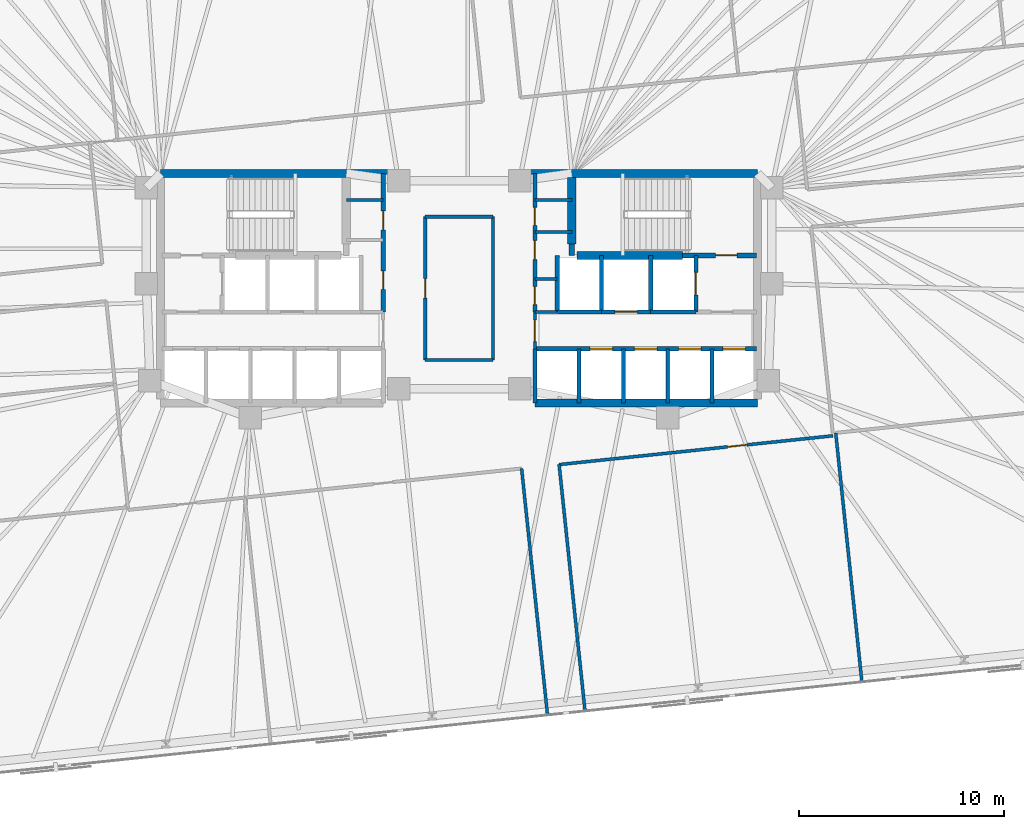
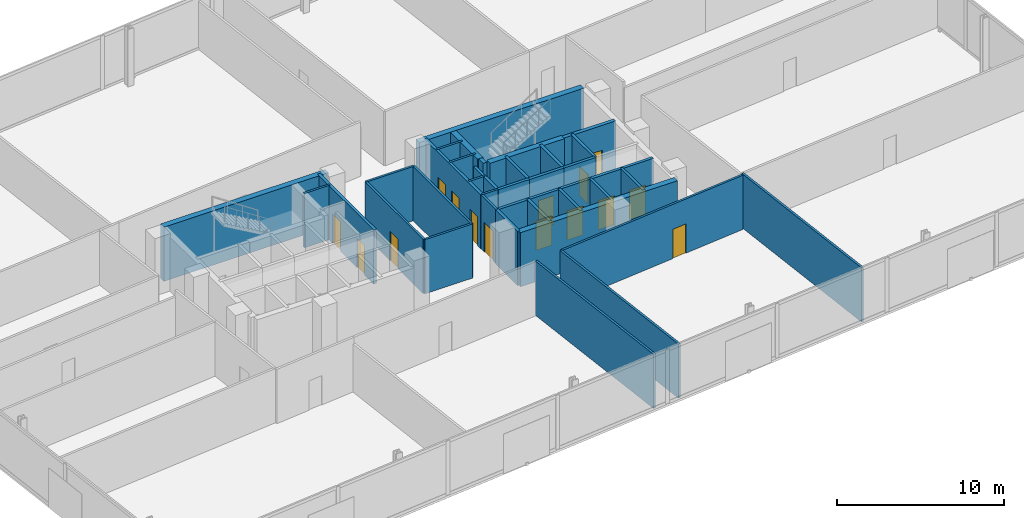
# One storey, part 13 of 16: 36 walls, 15 doors, 15 openings.
"""IFC4 building model written with IfcOpenShell, lengths in metres."""

from ifc_helpers import new_model, si_unit, direction, frame, frame_2d, origin, place, context, subcontext, project, spatial, rectangle, extrude, material, layer, layer_set, type_object, element, fill, save


model = new_model("IFC4")

# Units and contexts
model_context = context("Model", 3, precision=1e-05, world=origin(), true_north=direction((0.0, 1.0)))
body_context = subcontext(model_context, "Body", "Model", "MODEL_VIEW")
ifc_project = project(units=[si_unit("LENGTHUNIT", "METRE"), si_unit("AREAUNIT", "SQUARE_METRE"), si_unit("VOLUMEUNIT", "CUBIC_METRE"), si_unit("PLANEANGLEUNIT", "RADIAN"), si_unit("MASSUNIT", "GRAM", prefix="KILO")], contexts=[model_context])

# Site, building, storey
site_placement = place(None, origin())
site = spatial("IfcSite", under=ifc_project, at=site_placement, CompositionType="ELEMENT")
building_placement = place(site_placement, origin())
building = spatial("IfcBuilding", under=site, at=building_placement, Name="Menara Jurai Vektor", CompositionType="ELEMENT")
storey_placement = place(building_placement, frame((0.0, 0.0, 83.199951171875)))
storey = spatial("IfcBuildingStorey", under=building, at=storey_placement, Name="L20", CompositionType="ELEMENT", Elevation=83.199951171875)

# Wall, opening, door
ifc_material_1 = material(Name="Concrete C40/50", Category="concrete")
ifc_layer_1 = layer(ifc_material_1, 0.25)
ifc_layer_set_1 = layer_set([ifc_layer_1], Name="Concrete C40/50")
wall_type_1 = type_object("IfcWallType", Name="INT-WALL-CORE-250", PredefinedType="STANDARD", material=ifc_layer_set_1)
wall_1_placement = place(storey_placement, frame((10.89990234375, 1.60009765625, 0.0), z_axis=(0.0, 0.0, 1.0), x_axis=(1.0, 0.0, 0.0)))
wall_1 = element("IfcWall", 1, at=wall_1_placement, inside=storey, type_object=wall_type_1, Name="Interior Wall IW-250 L20", PredefinedType="STANDARD", context=body_context, shape_type="SweptSolid", body=[
    extrude(rectangle(XDim=3.60009765625, YDim=0.25, at=frame_2d((1.800048828125, 0.0))), origin(), (0.0, 0.0, 1.0), 3.97509765625),
])
opening_1_placement = place(wall_1_placement, frame((1.6201171875, 0.0, 0.0)))
opening_1 = element("IfcOpeningElement", 2, at=opening_1_placement, cuts=wall_1, Name="Opening D-L20-ST2", PredefinedType="OPENING", context=body_context, shape_type="SweptSolid", body=[
    extrude(rectangle(XDim=1.050048828125, YDim=2.14990234375, at=frame_2d((0.52490234375, 1.074951171875))), frame((0.0, 0.135009765625, 0.0), z_axis=(0.0, -1.0, 0.0), x_axis=(1.0, 0.0, 0.0)), (0.0, 0.0, 1.0), 0.27001953125),
])
ifc_material_2 = material(Name="Fire-Rated Steel Door", Category="steel")
door_type_1 = type_object("IfcDoorType", Name="DR-STAIR-1050", OperationType="NOTDEFINED", PredefinedType="DOOR", material=ifc_material_2)
door_1_placement = place(opening_1_placement, origin())
door_1 = element("IfcDoor", 3, at=door_1_placement, inside=storey, type_object=door_type_1, Name="Exit Stair ST2 Door L20", OperationType="SINGLE_SWING_LEFT", OverallHeight=2.14990234375, OverallWidth=1.050048828125, PredefinedType="DOOR", context=body_context, shape_type="SweptSolid", body=[
    extrude(rectangle(XDim=1.050048828125, YDim=2.14990234375, at=frame_2d((0.52490234375, 1.074951171875))), frame((0.0, 0.02490234375, 0.0), z_axis=(0.0, -1.0, 0.0), x_axis=(1.0, 0.0, 0.0)), (0.0, 0.0, 1.0), 0.050048828125),
])
fill(opening_1, door_1)

# Wall
wall_2_placement = place(storey_placement, frame((5.5, 1.60009765625, 0.0), z_axis=(0.0, 0.0, 1.0), x_axis=(0.0, 1.0, 0.0)))
element("IfcWall", 4, at=wall_2_placement, inside=storey, type_object=wall_type_1, Name="Interior Wall IW-250 L20", PredefinedType="STANDARD", context=body_context, shape_type="SweptSolid", body=[
    extrude(rectangle(XDim=0.5498046875, YDim=0.25, at=frame_2d((0.27490234375, 0.0))), origin(), (0.0, 0.0, 1.0), 3.97509765625),
])

# Wall, opening, door
wall_3_placement = place(storey_placement, frame((11.550048828125, -1.14990234375, 0.0), z_axis=(0.0, 0.0, 1.0), x_axis=(0.0, 1.0, 0.0)))
wall_3 = element("IfcWall", 5, at=wall_3_placement, inside=storey, type_object=wall_type_1, Name="Interior Wall IW-250 L20", PredefinedType="STANDARD", context=body_context, shape_type="SweptSolid", body=[
    extrude(rectangle(XDim=2.75, YDim=0.199951171875, at=frame_2d((1.375, 0.0))), origin(), (0.0, 0.0, 1.0), 3.97509765625),
])
opening_2_placement = place(wall_3_placement, frame((0.824951171875, 0.0, 0.0)))
opening_2 = element("IfcOpeningElement", 6, at=opening_2_placement, cuts=wall_3, Name="Opening LD-L20-FL2", PredefinedType="OPENING", context=body_context, shape_type="SweptSolid", body=[
    extrude(rectangle(XDim=1.10009765625, YDim=2.14990234375, at=frame_2d((0.550048828125, 1.074951171875))), frame((0.0, 0.10986328125, 0.0), z_axis=(0.0, -1.0, 0.0), x_axis=(1.0, 0.0, 0.0)), (0.0, 0.0, 1.0), 0.219970703125),
])
ifc_material_3 = material(Name="Stainless Steel Sliding Lift Landing Door", Category="steel")
door_type_2 = type_object("IfcDoorType", Name="DR-LIFT-FIRE-1100", OperationType="NOTDEFINED", PredefinedType="DOOR", material=ifc_material_3)
door_2_placement = place(opening_2_placement, origin())
door_2 = element("IfcDoor", 7, at=door_2_placement, inside=storey, type_object=door_type_2, Name="Lift Landing Door FL2 L20", OperationType="SLIDING_TO_RIGHT", OverallHeight=2.14990234375, OverallWidth=1.10009765625, PredefinedType="DOOR", context=body_context, shape_type="SweptSolid", body=[
    extrude(rectangle(XDim=1.10009765625, YDim=2.14990234375, at=frame_2d((0.550048828125, 1.074951171875))), frame((0.0, 0.02490234375, 0.0), z_axis=(0.0, -1.0, 0.0), x_axis=(1.0, 0.0, 0.0)), (0.0, 0.0, 1.0), 0.050048828125),
])
fill(opening_2, door_2)

# Walls
wall_4_placement = place(storey_placement, frame((9.35009765625, -1.14990234375, 0.0), z_axis=(0.0, 0.0, 1.0), x_axis=(0.0, 1.0, 0.0)))
element("IfcWall", 8, at=wall_4_placement, inside=storey, type_object=wall_type_1, Name="Interior Wall IW-250 L20", PredefinedType="STANDARD", context=body_context, shape_type="SweptSolid", body=[
    extrude(rectangle(XDim=2.75, YDim=0.199951171875, at=frame_2d((1.375, 0.0))), origin(), (0.0, 0.0, 1.0), 3.97509765625),
])
wall_5_placement = place(storey_placement, frame((9.35009765625, -1.14990234375, 0.0), z_axis=(0.0, 0.0, 1.0), x_axis=(1.0, 0.0, 0.0)))
element("IfcWall", 9, at=wall_5_placement, inside=storey, type_object=wall_type_1, Name="Interior Wall IW-250 L20", PredefinedType="STANDARD", context=body_context, shape_type="SweptSolid", body=[
    extrude(rectangle(XDim=2.199951171875, YDim=0.199951171875, at=frame_2d((1.10009765625, 0.0))), origin(), (0.0, 0.0, 1.0), 3.97509765625),
])

# Wall, opening, door
ifc_material_4 = material(Name="Gypsum Fireboard Partition", Category="gypsum")
ifc_layer_2 = layer(ifc_material_4, 0.14990234375)
ifc_layer_set_2 = layer_set([ifc_layer_2], Name="Gypsum Fireboard Partition")
wall_type_2 = type_object("IfcWallType", Name="INT-WALL-CORR-150", PredefinedType="PARTITIONING", material=ifc_layer_set_2)
wall_6_placement = place(storey_placement, frame((3.699951171875, -2.949951171875, 0.0), z_axis=(0.0, 0.0, 1.0), x_axis=(0.0, 1.0, 0.0)))
wall_6 = element("IfcWall", 10, at=wall_6_placement, inside=storey, type_object=wall_type_2, Name="Interior Wall IW-150 L20", PredefinedType="PARTITIONING", context=body_context, shape_type="SweptSolid", body=[
    extrude(rectangle(XDim=1.800048828125, YDim=0.14990234375, at=frame_2d((0.89990234375, 0.0))), origin(), (0.0, 0.0, 1.0), 3.97509765625),
])
opening_3_placement = place(wall_6_placement, frame((0.35009765625, 0.0, 0.0)))
opening_3 = element("IfcOpeningElement", 11, at=opening_3_placement, cuts=wall_6, Name="Opening D-L20-LLE", PredefinedType="OPENING", context=body_context, shape_type="SweptSolid", body=[
    extrude(rectangle(XDim=1.050048828125, YDim=2.179931640625, at=frame_2d((0.52490234375, 1.08984375))), frame((0.0, 0.0849609375, 0.0), z_axis=(0.0, -1.0, 0.0), x_axis=(1.0, 0.0, 0.0)), (0.0, 0.0, 1.0), 0.169921875),
])
ifc_material_5 = material(Name="Fire-Rated Timber Door", Category="wood")
door_type_3 = type_object("IfcDoorType", Name="DR-LOBBY-1050", OperationType="NOTDEFINED", PredefinedType="DOOR", material=ifc_material_5)
door_3_placement = place(opening_3_placement, frame((1.050048828125, 0.0, 0.0), z_axis=(0.0, 0.0, 1.0), x_axis=(-1.0, 0.0, 0.0)))
door_3 = element("IfcDoor", 12, at=door_3_placement, inside=storey, type_object=door_type_3, Name="Lift Lobby Corridor Door E L20", OperationType="SINGLE_SWING_RIGHT", OverallHeight=2.179931640625, OverallWidth=1.050048828125, PredefinedType="DOOR", context=body_context, shape_type="SweptSolid", body=[
    extrude(rectangle(XDim=1.050048828125, YDim=2.179931640625, at=frame_2d((0.52490234375, 1.08984375))), frame((0.0, 0.02490234375, 0.0), z_axis=(0.0, -1.0, 0.0), x_axis=(1.0, 0.0, 0.0)), (0.0, 0.0, 1.0), 0.050048828125),
])
fill(opening_3, door_3)

# Walls
wall_7_placement = place(storey_placement, frame((3.699951171875, -1.14990234375, 0.0), z_axis=(0.0, 0.0, 1.0), x_axis=(1.0, 0.0, 0.0)))
element("IfcWall", 13, at=wall_7_placement, inside=storey, type_object=wall_type_2, Name="Interior Wall IW-150 L20", PredefinedType="PARTITIONING", context=body_context, shape_type="SweptSolid", body=[
    extrude(rectangle(XDim=1.090087890625, YDim=0.14990234375, at=frame_2d((0.544921875, 0.0))), origin(), (0.0, 0.0, 1.0), 3.97509765625),
])
for number, where, z_axis, x_axis, name in (
    (14, (-5.5, 4.300048828125, 0.0), (0.0, 0.0, 1.0), (1.0, 0.0, 0.0), "Interior Wall IW-150 L20"),
    (15, (3.699951171875, 4.300048828125, 0.0), (0.0, 0.0, 1.0), (1.0, 0.0, 0.0), "Interior Wall IW-150 L20"),
):
    element("IfcWall", number, at=place(storey_placement, frame(where, z_axis=z_axis, x_axis=x_axis)), inside=storey, type_object=wall_type_2, Name=name, PredefinedType="PARTITIONING", context=body_context, shape_type="SweptSolid", body=[
        extrude(rectangle(XDim=1.800048828125, YDim=0.14990234375, at=frame_2d((0.89990234375, 0.0))), origin(), (0.0, 0.0, 1.0), 3.97509765625),
    ])
wall_8_placement = place(storey_placement, frame((3.699951171875, 0.449951171875, 0.0), z_axis=(0.0, 0.0, 1.0), x_axis=(1.0, 0.0, 0.0)))
element("IfcWall", 16, at=wall_8_placement, inside=storey, type_object=wall_type_2, Name="Interior Wall IW-150 L20", PredefinedType="PARTITIONING", context=body_context, shape_type="SweptSolid", body=[
    extrude(rectangle(XDim=1.090087890625, YDim=0.14990234375, at=frame_2d((0.544921875, 0.0))), origin(), (0.0, 0.0, 1.0), 3.97509765625),
])
wall_9_placement = place(storey_placement, frame((3.699951171875, 2.75, 0.0), z_axis=(0.0, 0.0, 1.0), x_axis=(1.0, 0.0, 0.0)))
element("IfcWall", 17, at=wall_9_placement, inside=storey, type_object=wall_type_2, Name="Interior Wall IW-150 L20", PredefinedType="PARTITIONING", context=body_context, shape_type="SweptSolid", body=[
    extrude(rectangle(XDim=1.800048828125, YDim=0.14990234375, at=frame_2d((0.89990234375, 0.0))), origin(), (0.0, 0.0, 1.0), 3.97509765625),
])

# Wall, opening, door
wall_10_placement = place(storey_placement, frame((-1.649658203125, -3.490478515625, 0.0), z_axis=(0.0, 0.0, 1.0), x_axis=(-0.000104928124, 0.999999994495, 0.0)))
wall_10 = element("IfcWall", 18, at=wall_10_placement, inside=storey, type_object=wall_type_2, Name="Interior Wall IW-150 L20", PredefinedType="PARTITIONING", context=body_context, shape_type="SweptSolid", body=[
    extrude(rectangle(XDim=6.980224609375, YDim=0.14990234375, at=frame_2d((3.490234375, 0.0))), origin(), (0.0, 0.0, 1.0), 3.97509765625),
])
opening_4_placement = place(wall_10_placement, frame((3.01513671875, 0.0, 0.0)))
opening_4 = element("IfcOpeningElement", 19, at=opening_4_placement, cuts=wall_10, Name="Opening D20-06", PredefinedType="OPENING", context=body_context, shape_type="SweptSolid", body=[
    extrude(rectangle(XDim=0.949951171875, YDim=2.14990234375, at=frame_2d((0.47509765625, 1.074951171875))), frame((0.0, 0.0849609375, 0.0), z_axis=(0.0, -1.0, 0.0), x_axis=(1.0, 0.0, 0.0)), (0.0, 0.0, 1.0), 0.169921875),
])
ifc_material_6 = material(Name="Solid Core Timber Fire Door", Category="wood")
door_type_4 = type_object("IfcDoorType", Name="DR-ENTRY-950", OperationType="NOTDEFINED", PredefinedType="DOOR", material=ifc_material_6)
door_4_placement = place(opening_4_placement, origin())
door_4 = element("IfcDoor", 20, at=door_4_placement, inside=storey, type_object=door_type_4, Name="Interior Door D20-06", OperationType="SINGLE_SWING_LEFT", OverallHeight=2.14990234375, OverallWidth=0.949951171875, PredefinedType="DOOR", context=body_context, shape_type="SweptSolid", body=[
    extrude(rectangle(XDim=0.949951171875, YDim=2.14990234375, at=frame_2d((0.47509765625, 1.074951171875))), frame((0.0, 0.02490234375, 0.0), z_axis=(0.0, -1.0, 0.0), x_axis=(1.0, 0.0, 0.0)), (0.0, 0.0, 1.0), 0.050048828125),
])
fill(opening_4, door_4)

# Walls
wall_11_placement = place(storey_placement, frame((-1.649658203125, -3.490478515625, 0.0), z_axis=(0.0, 0.0, 1.0), x_axis=(1.0, 0.0, 0.0)))
element("IfcWall", 21, at=wall_11_placement, inside=storey, type_object=wall_type_2, Name="Interior Wall IW-150 L20", PredefinedType="PARTITIONING", context=body_context, shape_type="SweptSolid", body=[
    extrude(rectangle(XDim=3.300048828125, YDim=0.14990234375, at=frame_2d((1.64990234375, 0.0))), origin(), (0.0, 0.0, 1.0), 3.97509765625),
])
wall_12_placement = place(storey_placement, frame((-1.650390625, 3.48974609375, 0.0), z_axis=(0.0, 0.0, 1.0), x_axis=(1.0, 0.0, 0.0)))
element("IfcWall", 22, at=wall_12_placement, inside=storey, type_object=wall_type_2, Name="Interior Wall IW-150 L20", PredefinedType="PARTITIONING", context=body_context, shape_type="SweptSolid", body=[
    extrude(rectangle(XDim=3.30029296875, YDim=0.14990234375, at=frame_2d((1.650146484375, 0.0))), origin(), (0.0, 0.0, 1.0), 3.97509765625),
])
wall_13_placement = place(storey_placement, frame((1.650390625, -3.490478515625, 0.0), z_axis=(0.0, 0.0, 1.0), x_axis=(-6.9952083e-05, 0.999999997553, 0.0)))
element("IfcWall", 23, at=wall_13_placement, inside=storey, type_object=wall_type_2, Name="Interior Wall IW-150 L20", PredefinedType="PARTITIONING", context=body_context, shape_type="SweptSolid", body=[
    extrude(rectangle(XDim=6.980224609375, YDim=0.14990234375, at=frame_2d((3.490234375, 0.0))), origin(), (0.0, 0.0, 1.0), 3.97509765625),
])
for number, where, z_axis, x_axis, name in (
    (24, (4.315185546875, -20.81884765625, 0.0), (0.0, 0.0, 1.0), (-0.104515587229, 0.99452324861, 0.0), "Interior Wall IW-150 L20"),
    (25, (6.145263671875, -20.62646484375, 0.0), (0.0, 0.0, 1.0), (-0.104535555083, 0.994521149963, 0.0), "Interior Wall IW-150 L20"),
):
    element("IfcWall", number, at=place(storey_placement, frame(where, z_axis=z_axis, x_axis=x_axis)), inside=storey, type_object=wall_type_2, Name=name, PredefinedType="PARTITIONING", context=body_context, shape_type="SweptSolid", body=[
        extrude(rectangle(XDim=12.093017578125, YDim=0.14990234375, at=frame_2d((6.04638671875, 0.0))), origin(), (0.0, 0.0, 1.0), 3.97509765625),
    ])

# Wall, opening, door
wall_14_placement = place(storey_placement, frame((4.881103515625, -8.599609375, 0.0), z_axis=(0.0, 0.0, 1.0), x_axis=(0.994523954947, 0.104508865829, 0.0)))
wall_14 = element("IfcWall", 26, at=wall_14_placement, inside=storey, type_object=wall_type_2, Name="Interior Wall IW-150 L20", PredefinedType="PARTITIONING", context=body_context, shape_type="SweptSolid", body=[
    extrude(rectangle(XDim=13.43701171875, YDim=0.14990234375, at=frame_2d((6.718505859375, 0.0))), origin(), (0.0, 0.0, 1.0), 3.97509765625),
])
opening_5_placement = place(wall_14_placement, frame((8.259033203125, 0.0, 0.0)))
opening_5 = element("IfcOpeningElement", 27, at=opening_5_placement, cuts=wall_14, Name="Opening D20-13", PredefinedType="OPENING", context=body_context, shape_type="SweptSolid", body=[
    extrude(rectangle(XDim=0.949951171875, YDim=2.14990234375, at=frame_2d((0.47509765625, 1.074951171875))), frame((0.0, 0.0849609375, 0.0), z_axis=(0.0, -1.0, 0.0), x_axis=(1.0, 0.0, 0.0)), (0.0, 0.0, 1.0), 0.169921875),
])
door_5_placement = place(opening_5_placement, origin())
door_5 = element("IfcDoor", 28, at=door_5_placement, inside=storey, type_object=door_type_4, Name="Interior Door D20-13", OperationType="SINGLE_SWING_RIGHT", OverallHeight=2.14990234375, OverallWidth=0.949951171875, PredefinedType="DOOR", context=body_context, shape_type="SweptSolid", body=[
    extrude(rectangle(XDim=0.949951171875, YDim=2.14990234375, at=frame_2d((0.47509765625, 1.074951171875))), frame((0.0, 0.02490234375, 0.0), z_axis=(0.0, -1.0, 0.0), x_axis=(1.0, 0.0, 0.0)), (0.0, 0.0, 1.0), 0.050048828125),
])
fill(opening_5, door_5)

# Wall
wall_15_placement = place(storey_placement, frame((19.65087890625, -19.20703125, 0.0), z_axis=(0.0, 0.0, 1.0), x_axis=(-0.104540236679, 0.994520657862, 0.0)))
element("IfcWall", 29, at=wall_15_placement, inside=storey, type_object=wall_type_2, Name="Interior Wall IW-150 L20", PredefinedType="PARTITIONING", context=body_context, shape_type="SweptSolid", body=[
    extrude(rectangle(XDim=12.220947265625, YDim=0.14990234375, at=frame_2d((6.1103515625, 0.0))), origin(), (0.0, 0.0, 1.0), 3.97509765625),
])

# Wall, openings, doors
ifc_layer_3 = layer(ifc_material_1, 0.199951171875)
ifc_layer_set_3 = layer_set([ifc_layer_3], Name="Concrete C40/50")
wall_type_3 = type_object("IfcWallType", Name="INT-WALL-SHAFT-200", PredefinedType="STANDARD", material=ifc_layer_set_3)
wall_16_placement = place(storey_placement, frame((-3.699951171875, -1.14990234375, 0.0), z_axis=(0.0, 0.0, 1.0), x_axis=(0.0, 1.0, 0.0)))
wall_16 = element("IfcWall", 30, at=wall_16_placement, inside=storey, type_object=wall_type_3, Name="Interior Wall IW-200 L20", PredefinedType="STANDARD", context=body_context, shape_type="SweptSolid", body=[
    extrude(rectangle(XDim=6.75, YDim=0.199951171875, at=frame_2d((3.375, 0.0))), origin(), (0.0, 0.0, 1.0), 3.97509765625),
])
opening_6_placement = place(wall_16_placement, frame((1.10009765625, 0.0, 0.0)))
opening_6 = element("IfcOpeningElement", 31, at=opening_6_placement, cuts=wall_16, Name="Opening D20-01", PredefinedType="OPENING", context=body_context, shape_type="SweptSolid", body=[
    extrude(rectangle(XDim=0.89990234375, YDim=2.14990234375, at=frame_2d((0.449951171875, 1.074951171875))), frame((0.0, 0.10986328125, 0.0), z_axis=(0.0, -1.0, 0.0), x_axis=(1.0, 0.0, 0.0)), (0.0, 0.0, 1.0), 0.219970703125),
])
opening_7_placement = place(wall_16_placement, frame((4.0, 0.0, 0.0)))
opening_7 = element("IfcOpeningElement", 32, at=opening_7_placement, cuts=wall_16, Name="Opening D20-02", PredefinedType="OPENING", context=body_context, shape_type="SweptSolid", body=[
    extrude(rectangle(XDim=0.919921875, YDim=2.14990234375, at=frame_2d((0.4599609375, 1.074951171875))), frame((0.0, 0.10986328125, 0.0), z_axis=(0.0, -1.0, 0.0), x_axis=(1.0, 0.0, 0.0)), (0.0, 0.0, 1.0), 0.219970703125),
])
door_6_placement = place(opening_6_placement, origin())
door_6 = element("IfcDoor", 33, at=door_6_placement, inside=storey, type_object=door_type_4, Name="Interior Door D20-01", OperationType="SINGLE_SWING_LEFT", OverallHeight=2.14990234375, OverallWidth=0.89990234375, PredefinedType="DOOR", context=body_context, shape_type="SweptSolid", body=[
    extrude(rectangle(XDim=0.89990234375, YDim=2.14990234375, at=frame_2d((0.449951171875, 1.074951171875))), frame((0.0, 0.02490234375, 0.0), z_axis=(0.0, -1.0, 0.0), x_axis=(1.0, 0.0, 0.0)), (0.0, 0.0, 1.0), 0.050048828125),
])
fill(opening_6, door_6)
door_7_placement = place(opening_7_placement, origin())
door_7 = element("IfcDoor", 34, at=door_7_placement, inside=storey, type_object=door_type_4, Name="Interior Door D20-02", OperationType="SINGLE_SWING_LEFT", OverallHeight=2.14990234375, OverallWidth=0.919921875, PredefinedType="DOOR", context=body_context, shape_type="SweptSolid", body=[
    extrude(rectangle(XDim=0.919921875, YDim=2.14990234375, at=frame_2d((0.4599609375, 1.074951171875))), frame((0.0, 0.02490234375, 0.0), z_axis=(0.0, -1.0, 0.0), x_axis=(1.0, 0.0, 0.0)), (0.0, 0.0, 1.0), 0.050048828125),
])
fill(opening_7, door_7)

wall_17_placement = place(storey_placement, frame((3.699951171875, -1.14990234375, 0.0), z_axis=(0.0, 0.0, 1.0), x_axis=(0.0, 1.0, 0.0)))
wall_17 = element("IfcWall", 35, at=wall_17_placement, inside=storey, type_object=wall_type_3, Name="Interior Wall IW-200 L20", PredefinedType="STANDARD", context=body_context, shape_type="SweptSolid", body=[
    extrude(rectangle(XDim=6.75, YDim=0.199951171875, at=frame_2d((3.375, 0.0))), origin(), (0.0, 0.0, 1.0), 3.97509765625),
])
opening_8_placement = place(wall_17_placement, frame((0.35009765625, 0.0, 0.0)))
opening_8 = element("IfcOpeningElement", 36, at=opening_8_placement, cuts=wall_17, Name="Opening D20-03", PredefinedType="OPENING", context=body_context, shape_type="SweptSolid", body=[
    extrude(rectangle(XDim=0.8798828125, YDim=2.14990234375, at=frame_2d((0.43994140625, 1.074951171875))), frame((0.0, 0.10986328125, 0.0), z_axis=(0.0, -1.0, 0.0), x_axis=(1.0, 0.0, 0.0)), (0.0, 0.0, 1.0), 0.219970703125),
])
opening_9_placement = place(wall_17_placement, frame((2.550048828125, 0.0, 0.0)))
opening_9 = element("IfcOpeningElement", 37, at=opening_9_placement, cuts=wall_17, Name="Opening D20-04", PredefinedType="OPENING", context=body_context, shape_type="SweptSolid", body=[
    extrude(rectangle(XDim=0.919921875, YDim=2.14990234375, at=frame_2d((0.4599609375, 1.074951171875))), frame((0.0, 0.10986328125, 0.0), z_axis=(0.0, -1.0, 0.0), x_axis=(1.0, 0.0, 0.0)), (0.0, 0.0, 1.0), 0.219970703125),
])
opening_10_placement = place(wall_17_placement, frame((4.219970703125, 0.0, 0.0)))
opening_10 = element("IfcOpeningElement", 38, at=opening_10_placement, cuts=wall_17, Name="Opening D20-05", PredefinedType="OPENING", context=body_context, shape_type="SweptSolid", body=[
    extrude(rectangle(XDim=0.8798828125, YDim=2.14990234375, at=frame_2d((0.43994140625, 1.074951171875))), frame((0.0, 0.10986328125, 0.0), z_axis=(0.0, -1.0, 0.0), x_axis=(1.0, 0.0, 0.0)), (0.0, 0.0, 1.0), 0.219970703125),
])
door_8_placement = place(opening_8_placement, origin())
door_8 = element("IfcDoor", 39, at=door_8_placement, inside=storey, type_object=door_type_4, Name="Interior Door D20-03", OperationType="SINGLE_SWING_RIGHT", OverallHeight=2.14990234375, OverallWidth=0.8798828125, PredefinedType="DOOR", context=body_context, shape_type="SweptSolid", body=[
    extrude(rectangle(XDim=0.8798828125, YDim=2.14990234375, at=frame_2d((0.43994140625, 1.074951171875))), frame((0.0, 0.02490234375, 0.0), z_axis=(0.0, -1.0, 0.0), x_axis=(1.0, 0.0, 0.0)), (0.0, 0.0, 1.0), 0.050048828125),
])
fill(opening_8, door_8)
door_9_placement = place(opening_9_placement, origin())
door_9 = element("IfcDoor", 40, at=door_9_placement, inside=storey, type_object=door_type_4, Name="Interior Door D20-04", OperationType="SINGLE_SWING_RIGHT", OverallHeight=2.14990234375, OverallWidth=0.919921875, PredefinedType="DOOR", context=body_context, shape_type="SweptSolid", body=[
    extrude(rectangle(XDim=0.919921875, YDim=2.14990234375, at=frame_2d((0.4599609375, 1.074951171875))), frame((0.0, 0.02490234375, 0.0), z_axis=(0.0, -1.0, 0.0), x_axis=(1.0, 0.0, 0.0)), (0.0, 0.0, 1.0), 0.050048828125),
])
fill(opening_9, door_9)
door_10_placement = place(opening_10_placement, origin())
door_10 = element("IfcDoor", 41, at=door_10_placement, inside=storey, type_object=door_type_4, Name="Interior Door D20-05", OperationType="SINGLE_SWING_RIGHT", OverallHeight=2.14990234375, OverallWidth=0.8798828125, PredefinedType="DOOR", context=body_context, shape_type="SweptSolid", body=[
    extrude(rectangle(XDim=0.8798828125, YDim=2.14990234375, at=frame_2d((0.43994140625, 1.074951171875))), frame((0.0, 0.02490234375, 0.0), z_axis=(0.0, -1.0, 0.0), x_axis=(1.0, 0.0, 0.0)), (0.0, 0.0, 1.0), 0.050048828125),
])
fill(opening_10, door_10)

# Walls
wall_18_placement = place(storey_placement, frame((3.699951171875, -5.60009765625, 0.0), z_axis=(0.0, 0.0, 1.0), x_axis=(0.0, 1.0, 0.0)))
element("IfcWall", 42, at=wall_18_placement, inside=storey, type_object=wall_type_3, Name="Interior Wall IW-200 L20", PredefinedType="STANDARD", context=body_context, shape_type="SweptSolid", body=[
    extrude(rectangle(XDim=2.650146484375, YDim=0.199951171875, at=frame_2d((1.3251953125, 0.0))), origin(), (0.0, 0.0, 1.0), 3.97509765625),
])
wall_19_placement = place(storey_placement, frame((6.949951171875, -1.14990234375, 0.0), z_axis=(0.0, 0.0, 1.0), x_axis=(0.0, 1.0, 0.0)))
element("IfcWall", 43, at=wall_19_placement, inside=storey, type_object=wall_type_3, Name="Interior Wall IW-200 L20", PredefinedType="STANDARD", context=body_context, shape_type="SweptSolid", body=[
    extrude(rectangle(XDim=2.75, YDim=0.199951171875, at=frame_2d((1.375, 0.0))), origin(), (0.0, 0.0, 1.0), 3.97509765625),
])

# Wall, opening, door
wall_20_placement = place(storey_placement, frame((6.949951171875, -1.14990234375, 0.0), z_axis=(0.0, 0.0, 1.0), x_axis=(1.0, 0.0, 0.0)))
wall_20 = element("IfcWall", 44, at=wall_20_placement, inside=storey, type_object=wall_type_3, Name="Interior Wall IW-200 L20", PredefinedType="STANDARD", context=body_context, shape_type="SweptSolid", body=[
    extrude(rectangle(XDim=2.400146484375, YDim=0.199951171875, at=frame_2d((1.2001953125, 0.0))), origin(), (0.0, 0.0, 1.0), 3.97509765625),
])
opening_11_placement = place(wall_20_placement, frame((0.64990234375, 0.0, 0.0)))
opening_11 = element("IfcOpeningElement", 45, at=opening_11_placement, cuts=wall_20, Name="Opening LD-L20-SVL2", PredefinedType="OPENING", context=body_context, shape_type="SweptSolid", body=[
    extrude(rectangle(XDim=1.10009765625, YDim=2.14990234375, at=frame_2d((0.550048828125, 1.074951171875))), frame((0.0, 0.10986328125, 0.0), z_axis=(0.0, -1.0, 0.0), x_axis=(1.0, 0.0, 0.0)), (0.0, 0.0, 1.0), 0.219970703125),
])
ifc_material_7 = material(Name="Anodised Stainless Sliding Lift Landing Door", Category="steel")
door_type_5 = type_object("IfcDoorType", Name="DR-LIFT-PASS-1100", OperationType="NOTDEFINED", PredefinedType="DOOR", material=ifc_material_7)
door_11_placement = place(opening_11_placement, origin())
door_11 = element("IfcDoor", 46, at=door_11_placement, inside=storey, type_object=door_type_5, Name="Lift Landing Door SVL2 L20", OperationType="SLIDING_TO_RIGHT", OverallHeight=2.14990234375, OverallWidth=1.10009765625, PredefinedType="DOOR", context=body_context, shape_type="SweptSolid", body=[
    extrude(rectangle(XDim=1.10009765625, YDim=2.14990234375, at=frame_2d((0.550048828125, 1.074951171875))), frame((0.0, 0.02490234375, 0.0), z_axis=(0.0, -1.0, 0.0), x_axis=(1.0, 0.0, 0.0)), (0.0, 0.0, 1.0), 0.050048828125),
])
fill(opening_11, door_11)

# Walls
wall_21_placement = place(storey_placement, frame((4.7900390625, -1.14990234375, 0.0), z_axis=(0.0, 0.0, 1.0), x_axis=(0.0, 1.0, 0.0)))
element("IfcWall", 47, at=wall_21_placement, inside=storey, type_object=wall_type_3, Name="Interior Wall IW-200 L20", PredefinedType="STANDARD", context=body_context, shape_type="SweptSolid", body=[
    extrude(rectangle(XDim=2.75, YDim=0.199951171875, at=frame_2d((1.375, 0.0))), origin(), (0.0, 0.0, 1.0), 3.97509765625),
])
wall_22_placement = place(storey_placement, frame((4.7900390625, -1.14990234375, 0.0), z_axis=(0.0, 0.0, 1.0), x_axis=(1.0, 0.0, 0.0)))
element("IfcWall", 48, at=wall_22_placement, inside=storey, type_object=wall_type_3, Name="Interior Wall IW-200 L20", PredefinedType="STANDARD", context=body_context, shape_type="SweptSolid", body=[
    extrude(rectangle(XDim=2.159912109375, YDim=0.199951171875, at=frame_2d((1.080078125, 0.0))), origin(), (0.0, 0.0, 1.0), 3.97509765625),
])

# Wall, openings, doors
wall_23_placement = place(storey_placement, frame((3.699951171875, -2.949951171875, 0.0), z_axis=(0.0, 0.0, 1.0), x_axis=(1.0, 0.0, 0.0)))
wall_23 = element("IfcWall", 49, at=wall_23_placement, inside=storey, type_object=wall_type_3, Name="Interior Wall IW-200 L20", PredefinedType="STANDARD", context=body_context, shape_type="SweptSolid", body=[
    extrude(rectangle(XDim=10.800048828125, YDim=0.199951171875, at=frame_2d((5.39990234375, 0.0))), origin(), (0.0, 0.0, 1.0), 3.97509765625),
])
opening_12_placement = place(wall_23_placement, frame((2.68994140625, 0.0, 0.0)))
opening_12 = element("IfcOpeningElement", 50, at=opening_12_placement, cuts=wall_23, Name="Opening LD-L20-PM3", PredefinedType="OPENING", context=body_context, shape_type="SweptSolid", body=[
    extrude(rectangle(XDim=1.10009765625, YDim=2.14990234375, at=frame_2d((0.550048828125, 1.074951171875))), frame((0.0, 0.10986328125, 0.0), z_axis=(0.0, -1.0, 0.0), x_axis=(1.0, 0.0, 0.0)), (0.0, 0.0, 1.0), 0.219970703125),
])
opening_13_placement = place(wall_23_placement, frame((4.85009765625, 0.0, 0.0)))
opening_13 = element("IfcOpeningElement", 51, at=opening_13_placement, cuts=wall_23, Name="Opening LD-L20-PM4", PredefinedType="OPENING", context=body_context, shape_type="SweptSolid", body=[
    extrude(rectangle(XDim=1.10009765625, YDim=2.14990234375, at=frame_2d((0.550048828125, 1.074951171875))), frame((0.0, 0.10986328125, 0.0), z_axis=(0.0, -1.0, 0.0), x_axis=(1.0, 0.0, 0.0)), (0.0, 0.0, 1.0), 0.219970703125),
])
opening_14_placement = place(wall_23_placement, frame((7.010009765625, 0.0, 0.0)))
opening_14 = element("IfcOpeningElement", 52, at=opening_14_placement, cuts=wall_23, Name="Opening LD-L20-PL3", PredefinedType="OPENING", context=body_context, shape_type="SweptSolid", body=[
    extrude(rectangle(XDim=1.10009765625, YDim=2.14990234375, at=frame_2d((0.550048828125, 1.074951171875))), frame((0.0, 0.10986328125, 0.0), z_axis=(0.0, -1.0, 0.0), x_axis=(1.0, 0.0, 0.0)), (0.0, 0.0, 1.0), 0.219970703125),
])
opening_15_placement = place(wall_23_placement, frame((9.169921875, 0.0, 0.0)))
opening_15 = element("IfcOpeningElement", 53, at=opening_15_placement, cuts=wall_23, Name="Opening LD-L20-PL4", PredefinedType="OPENING", context=body_context, shape_type="SweptSolid", body=[
    extrude(rectangle(XDim=1.10009765625, YDim=2.14990234375, at=frame_2d((0.550048828125, 1.074951171875))), frame((0.0, 0.10986328125, 0.0), z_axis=(0.0, -1.0, 0.0), x_axis=(1.0, 0.0, 0.0)), (0.0, 0.0, 1.0), 0.219970703125),
])
door_12_placement = place(opening_12_placement, origin())
door_12 = element("IfcDoor", 54, at=door_12_placement, inside=storey, type_object=door_type_5, Name="Lift Landing Door PM3 L20", OperationType="SLIDING_TO_LEFT", OverallHeight=2.14990234375, OverallWidth=1.10009765625, PredefinedType="DOOR", context=body_context, shape_type="SweptSolid", body=[
    extrude(rectangle(XDim=1.10009765625, YDim=2.14990234375, at=frame_2d((0.550048828125, 1.074951171875))), frame((0.0, 0.02490234375, 0.0), z_axis=(0.0, -1.0, 0.0), x_axis=(1.0, 0.0, 0.0)), (0.0, 0.0, 1.0), 0.050048828125),
])
fill(opening_12, door_12)
door_13_placement = place(opening_13_placement, origin())
door_13 = element("IfcDoor", 55, at=door_13_placement, inside=storey, type_object=door_type_5, Name="Lift Landing Door PM4 L20", OperationType="SLIDING_TO_RIGHT", OverallHeight=2.14990234375, OverallWidth=1.10009765625, PredefinedType="DOOR", context=body_context, shape_type="SweptSolid", body=[
    extrude(rectangle(XDim=1.10009765625, YDim=2.14990234375, at=frame_2d((0.550048828125, 1.074951171875))), frame((0.0, 0.02490234375, 0.0), z_axis=(0.0, -1.0, 0.0), x_axis=(1.0, 0.0, 0.0)), (0.0, 0.0, 1.0), 0.050048828125),
])
fill(opening_13, door_13)
door_14_placement = place(opening_14_placement, origin())
door_14 = element("IfcDoor", 56, at=door_14_placement, inside=storey, type_object=door_type_5, Name="Lift Landing Door PL3 L20", OperationType="SLIDING_TO_RIGHT", OverallHeight=2.14990234375, OverallWidth=1.10009765625, PredefinedType="DOOR", context=body_context, shape_type="SweptSolid", body=[
    extrude(rectangle(XDim=1.10009765625, YDim=2.14990234375, at=frame_2d((0.550048828125, 1.074951171875))), frame((0.0, 0.02490234375, 0.0), z_axis=(0.0, -1.0, 0.0), x_axis=(1.0, 0.0, 0.0)), (0.0, 0.0, 1.0), 0.050048828125),
])
fill(opening_14, door_14)
door_15_placement = place(opening_15_placement, origin())
door_15 = element("IfcDoor", 57, at=door_15_placement, inside=storey, type_object=door_type_5, Name="Lift Landing Door PL4 L20", OperationType="SLIDING_TO_LEFT", OverallHeight=2.14990234375, OverallWidth=1.10009765625, PredefinedType="DOOR", context=body_context, shape_type="SweptSolid", body=[
    extrude(rectangle(XDim=1.10009765625, YDim=2.14990234375, at=frame_2d((0.550048828125, 1.074951171875))), frame((0.0, 0.02490234375, 0.0), z_axis=(0.0, -1.0, 0.0), x_axis=(1.0, 0.0, 0.0)), (0.0, 0.0, 1.0), 0.050048828125),
])
fill(opening_15, door_15)

# Walls
wall_24_placement = place(storey_placement, frame((5.860107421875, -5.60009765625, 0.0), z_axis=(0.0, 0.0, 1.0), x_axis=(0.0, 1.0, 0.0)))
element("IfcWall", 58, at=wall_24_placement, inside=storey, type_object=wall_type_3, Name="Interior Wall IW-200 L20", PredefinedType="STANDARD", context=body_context, shape_type="SweptSolid", body=[
    extrude(rectangle(XDim=2.650146484375, YDim=0.199951171875, at=frame_2d((1.3251953125, 0.0))), origin(), (0.0, 0.0, 1.0), 3.97509765625),
])
for number, where, z_axis, x_axis, name in (
    (59, (12.340087890625, -5.60009765625, 0.0), (0.0, 0.0, 1.0), (0.0, 1.0, 0.0), "Interior Wall IW-200 L20"),
    (60, (10.179931640625, -5.60009765625, 0.0), (0.0, 0.0, 1.0), (0.0, 1.0, 0.0), "Interior Wall IW-200 L20"),
    (61, (8.02001953125, -5.60009765625, 0.0), (0.0, 0.0, 1.0), (0.0, 1.0, 0.0), "Interior Wall IW-200 L20"),
):
    element("IfcWall", number, at=place(storey_placement, frame(where, z_axis=z_axis, x_axis=x_axis)), inside=storey, type_object=wall_type_3, Name=name, PredefinedType="STANDARD", context=body_context, shape_type="SweptSolid", body=[
        extrude(rectangle(XDim=2.650146484375, YDim=0.179931640625, at=frame_2d((1.3251953125, 0.0))), origin(), (0.0, 0.0, 1.0), 3.97509765625),
    ])
ifc_material_8 = material(Name="Concrete C50/60", Category="concrete")
ifc_layer_4 = layer(ifc_material_8, 0.39990234375)
ifc_layer_set_4 = layer_set([ifc_layer_4], Name="Concrete C50/60")
wall_type_4 = type_object("IfcWallType", Name="STR-WALL-CORE400", PredefinedType="SHEAR", material=ifc_layer_set_4)
for number, where, z_axis, x_axis, name in (
    (62, (-14.56005859375, 5.60009765625, 0.0), (0.0, 0.0, 1.0), (1.0, 0.0, 0.0), "Core Shear Wall CW-W-N L20"),
    (63, (3.14990234375, 5.60009765625, 0.0), (0.0, 0.0, 1.0), (1.0, 0.0, 0.0), "Core Shear Wall CW-E-N L20"),
):
    element("IfcWall", number, at=place(storey_placement, frame(where, z_axis=z_axis, x_axis=x_axis)), inside=storey, type_object=wall_type_4, Name=name, PredefinedType="SHEAR", context=body_context, shape_type="SweptSolid", body=[
        extrude(rectangle(XDim=11.41015625, YDim=0.39990234375, at=frame_2d((5.705078125, 0.0))), origin(), (0.0, 0.0, 1.0), 3.97509765625),
    ])
wall_25_placement = place(storey_placement, frame((3.699951171875, -5.60009765625, 0.0), z_axis=(0.0, 0.0, 1.0), x_axis=(1.0, 0.0, 0.0)))
element("IfcWall", 64, at=wall_25_placement, inside=storey, type_object=wall_type_4, Name="Core Shear Wall CW-E-S L20", PredefinedType="SHEAR", context=body_context, shape_type="SweptSolid", body=[
    extrude(rectangle(XDim=10.860107421875, YDim=0.39990234375, at=frame_2d((5.43017578125, 0.0))), origin(), (0.0, 0.0, 1.0), 3.97509765625),
])
wall_26_placement = place(storey_placement, frame((5.5, 2.14990234375, 0.0), z_axis=(0.0, 0.0, 1.0), x_axis=(0.0, 1.0, 0.0)))
element("IfcWall", 65, at=wall_26_placement, inside=storey, type_object=wall_type_4, Name="Core Shear Wall CW-E-ST L20", PredefinedType="SHEAR", context=body_context, shape_type="SweptSolid", body=[
    extrude(rectangle(XDim=3.25, YDim=0.39990234375, at=frame_2d((1.625, 0.0))), origin(), (0.0, 0.0, 1.0), 3.97509765625),
])
wall_27_placement = place(storey_placement, frame((5.75, 1.60009765625, 0.0), z_axis=(0.0, 0.0, 1.0), x_axis=(1.0, 0.0, 0.0)))
element("IfcWall", 66, at=wall_27_placement, inside=storey, type_object=wall_type_4, Name="Core Shear Wall CW-E-STS L20", PredefinedType="SHEAR", context=body_context, shape_type="SweptSolid", body=[
    extrude(rectangle(XDim=5.14990234375, YDim=0.39990234375, at=frame_2d((2.574951171875, 0.0))), origin(), (0.0, 0.0, 1.0), 3.97509765625),
])

save(model, "model.ifc")
